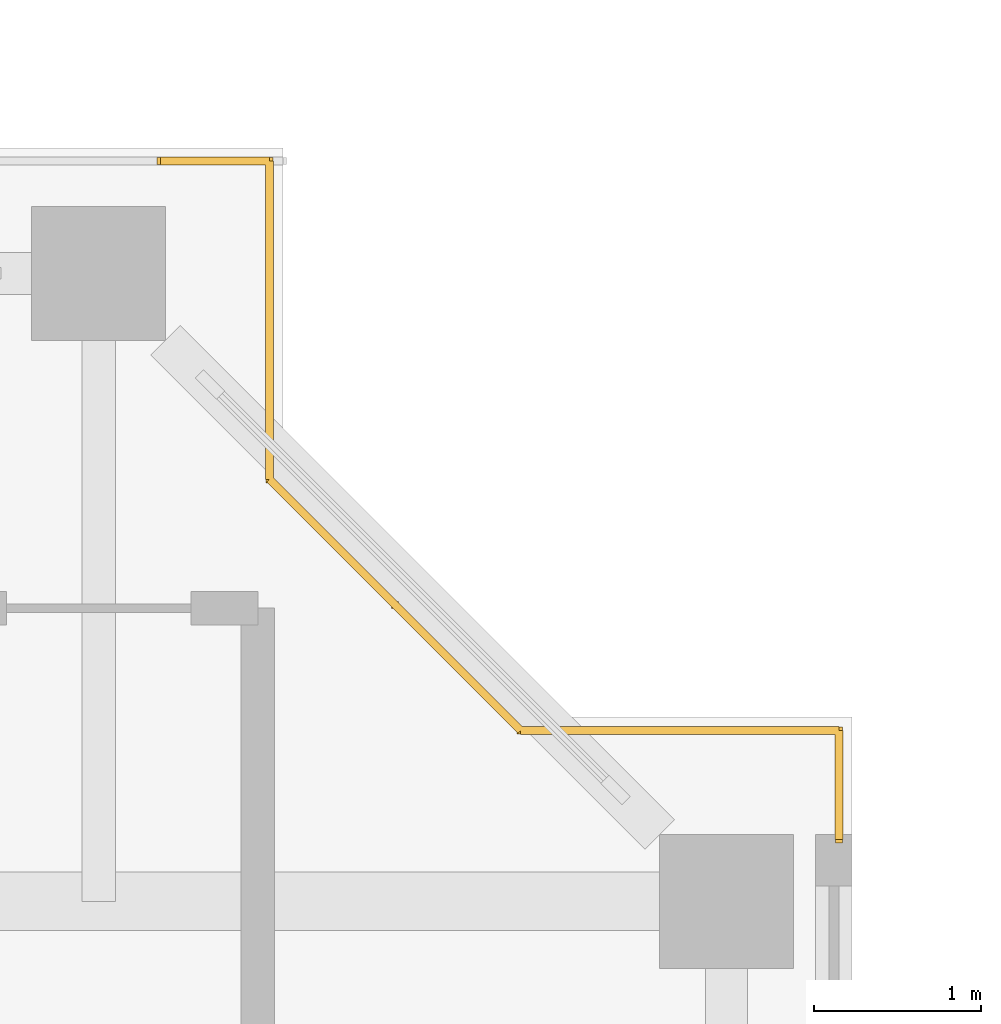
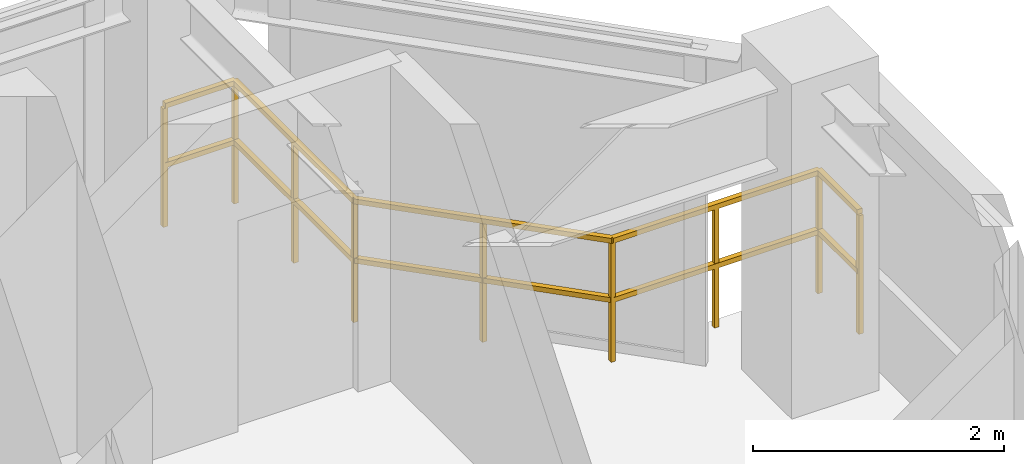
# One storey, part 23 of 23: 1 railing.
"""IFC4 building model written with IfcOpenShell, lengths in metres."""

from ifc_helpers import new_model, si_unit, direction, frame, origin, origin_2d, place, context, subcontext, project, spatial, rectangle, extrude, material, type_object, element, save


model = new_model("IFC4")

# Units and contexts
model_context = context("Model", 3, precision=1e-05, world=origin(), true_north=direction((0.0, 1.0)))
body_context = subcontext(model_context, "Body", "Model", "MODEL_VIEW")
ifc_project = project(units=[si_unit("LENGTHUNIT", "METRE"), si_unit("AREAUNIT", "SQUARE_METRE"), si_unit("VOLUMEUNIT", "CUBIC_METRE"), si_unit("PLANEANGLEUNIT", "RADIAN"), si_unit("MASSUNIT", "GRAM", prefix="KILO"), si_unit("THERMODYNAMICTEMPERATUREUNIT", "KELVIN"), si_unit("POWERUNIT", "WATT")], contexts=[model_context])

# Site, building, storey
site_placement = place(None, origin())
site = spatial("IfcSite", under=ifc_project, at=site_placement, CompositionType="ELEMENT")
building_placement = place(site_placement, origin())
building = spatial("IfcBuilding", under=site, at=building_placement, Name="Qiaomeng Ring Towers", CompositionType="ELEMENT")
storey_placement = place(building_placement, frame((0.0, 0.0, 82.75)))
storey = spatial("IfcBuildingStorey", under=building, at=storey_placement, Name="L23", CompositionType="ELEMENT", Elevation=82.75)

# Railing
ifc_material = material(Name="Low-E pale-green laminated safety glass", Category="glass")
railing_type = type_object("IfcRailingType", Name="ARC-RL-BAL1", PredefinedType="BALUSTRADE", material=ifc_material)
railing_placement = place(storey_placement, frame((73.02001953125, 31.469970703125, 0.0)))
element("IfcRailing", 1, at=railing_placement, inside=storey, type_object=railing_type, Name="L23 Balustrade ARC-BAL-NOTCH2-L23-NE", PredefinedType="BALUSTRADE", context=body_context, shape_type="SweptSolid", body=[
    extrude(rectangle(XDim=0.048095703125, YDim=0.048095703125, at=origin_2d()), frame((0.0, 0.0, 1.17578125), z_axis=(0.0, 1.0, 0.0), x_axis=(-1.0, 0.0, 0.0)), (0.0, 0.0, 1.0), 0.650146484375),
    extrude(rectangle(XDim=0.048095703125, YDim=0.048095703125, at=origin_2d()), frame((0.0, 0.0, 0.60009765625), z_axis=(0.0, 1.0, 0.0), x_axis=(-1.0, 0.0, 0.0)), (0.0, 0.0, 1.0), 0.650146484375),
    extrude(rectangle(XDim=0.048095703125, YDim=0.048095703125, at=origin_2d()), frame((0.0, 0.650146484375, 1.17578125), z_axis=(-1.0, 0.0, 0.0), x_axis=(0.0, -1.0, 0.0)), (0.0, 0.0, 1.0), 1.89990234375),
    extrude(rectangle(XDim=0.048095703125, YDim=0.048095703125, at=origin_2d()), frame((0.0, 0.650146484375, 0.60009765625), z_axis=(-1.0, 0.0, 0.0), x_axis=(0.0, -1.0, 0.0)), (0.0, 0.0, 1.0), 1.89990234375),
    extrude(rectangle(XDim=0.048095703125, YDim=0.048095703125, at=origin_2d()), frame((-1.89990234375, 0.650146484375, 1.17578125), z_axis=(-0.707106781187, 0.707106781187, 0.0), x_axis=(-0.707106781187, -0.707106781187, 0.0)), (0.0, 0.0, 1.0), 2.121337890625),
    extrude(rectangle(XDim=0.048095703125, YDim=0.048095703125, at=origin_2d()), frame((-1.89990234375, 0.650146484375, 0.60009765625), z_axis=(-0.707106781187, 0.707106781187, 0.0), x_axis=(-0.707106781187, -0.707106781187, 0.0)), (0.0, 0.0, 1.0), 2.121337890625),
    extrude(rectangle(XDim=0.048095703125, YDim=0.048095703125, at=origin_2d()), frame((-3.39990234375, 2.150146484375, 1.17578125), z_axis=(0.0, 1.0, 0.0), x_axis=(-1.0, 0.0, 0.0)), (0.0, 0.0, 1.0), 1.89990234375),
    extrude(rectangle(XDim=0.048095703125, YDim=0.048095703125, at=origin_2d()), frame((-3.39990234375, 2.150146484375, 0.60009765625), z_axis=(0.0, 1.0, 0.0), x_axis=(-1.0, 0.0, 0.0)), (0.0, 0.0, 1.0), 1.89990234375),
    extrude(rectangle(XDim=0.048095703125, YDim=0.048095703125, at=origin_2d()), frame((-3.39990234375, 4.050048828125, 1.17578125), z_axis=(-1.0, 0.0, 0.0), x_axis=(0.0, -1.0, 0.0)), (0.0, 0.0, 1.0), 0.650146484375),
    extrude(rectangle(XDim=0.048095703125, YDim=0.048095703125, at=origin_2d()), frame((-3.39990234375, 4.050048828125, 0.60009765625), z_axis=(-1.0, 0.0, 0.0), x_axis=(0.0, -1.0, 0.0)), (0.0, 0.0, 1.0), 0.650146484375),
    extrude(rectangle(XDim=0.0419921875, YDim=0.0419921875, at=origin_2d()), origin(), (0.0, 0.0, 1.0), 1.15185546875),
    extrude(rectangle(XDim=0.0419921875, YDim=0.0419921875, at=origin_2d()), frame((0.0, 0.650146484375, 0.0)), (0.0, 0.0, 1.0), 1.15185546875),
    extrude(rectangle(XDim=0.0419921875, YDim=0.0419921875, at=origin_2d()), frame((-0.949951171875, 0.650146484375, 0.0)), (0.0, 0.0, 1.0), 1.15185546875),
    extrude(rectangle(XDim=0.0419921875, YDim=0.0419921875, at=origin_2d()), frame((-1.89990234375, 0.650146484375, 0.0)), (0.0, 0.0, 1.0), 1.15185546875),
    extrude(rectangle(XDim=0.0419921875, YDim=0.0419921875, at=origin_2d()), frame((-2.64990234375, 1.400146484375, 0.0)), (0.0, 0.0, 1.0), 1.15185546875),
    extrude(rectangle(XDim=0.0419921875, YDim=0.0419921875, at=origin_2d()), frame((-3.39990234375, 2.150146484375, 0.0)), (0.0, 0.0, 1.0), 1.15185546875),
    extrude(rectangle(XDim=0.0419921875, YDim=0.0419921875, at=origin_2d()), frame((-3.39990234375, 3.10009765625, 0.0)), (0.0, 0.0, 1.0), 1.15185546875),
    extrude(rectangle(XDim=0.0419921875, YDim=0.0419921875, at=origin_2d()), frame((-3.39990234375, 4.050048828125, 0.0)), (0.0, 0.0, 1.0), 1.15185546875),
    extrude(rectangle(XDim=0.0419921875, YDim=0.0419921875, at=origin_2d()), frame((-4.050048828125, 4.050048828125, 0.0)), (0.0, 0.0, 1.0), 1.15185546875),
])

save(model, "model.ifc")
